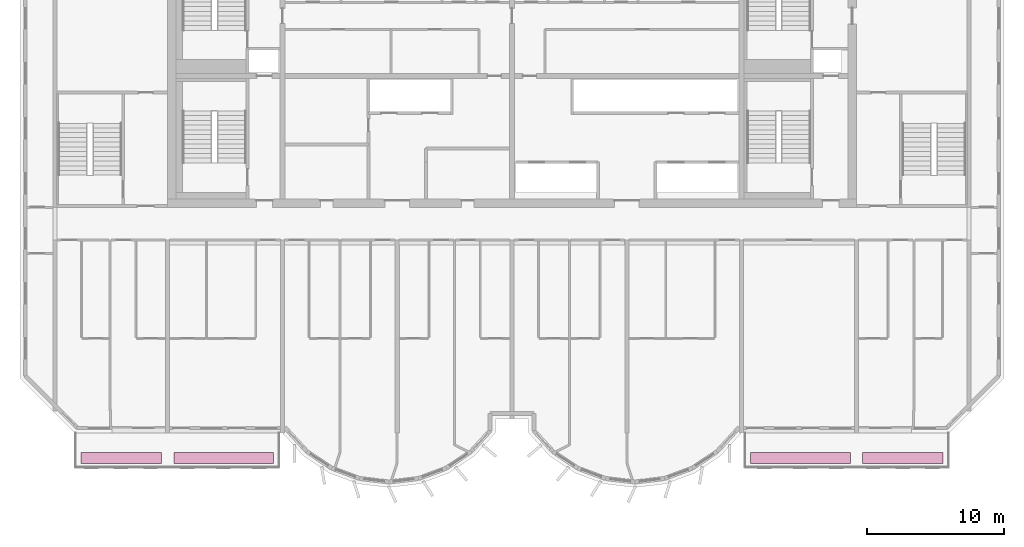
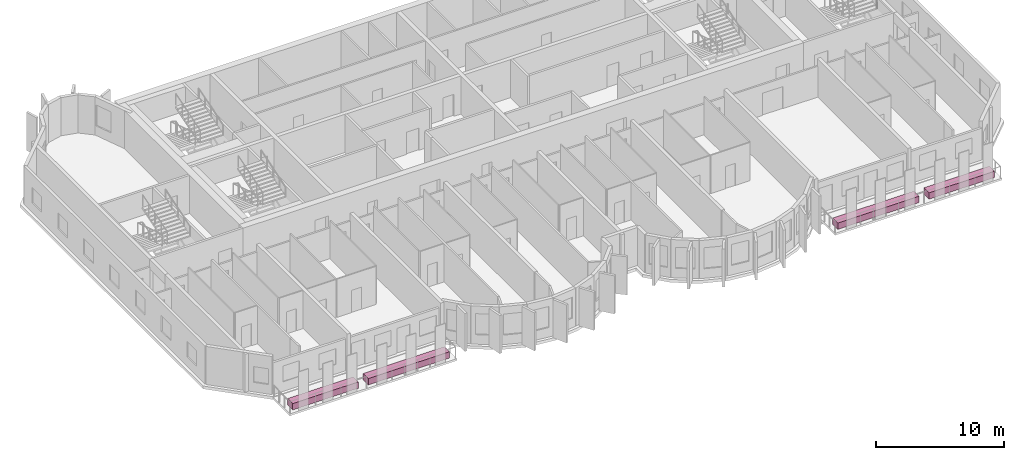
# One storey, part 11 of 11: 4 furniture elements.
"""IFC4 building model written with IfcOpenShell, lengths in metres."""

from ifc_helpers import new_model, si_unit, direction, frame, origin, origin_2d, place, context, subcontext, project, spatial, rectangle, extrude, source, transform, mapped, material, type_object, element, save


model = new_model("IFC4")

# Units and contexts
model_context = context("Model", 3, precision=1e-05, world=origin(), true_north=direction((0.0, 1.0)))
body_context = subcontext(model_context, "Body", "Model", "MODEL_VIEW")
ifc_project = project(units=[si_unit("LENGTHUNIT", "METRE"), si_unit("AREAUNIT", "SQUARE_METRE"), si_unit("VOLUMEUNIT", "CUBIC_METRE"), si_unit("PLANEANGLEUNIT", "RADIAN"), si_unit("MASSUNIT", "GRAM", prefix="KILO")], contexts=[model_context])

# Site, building, storey
site_placement = place(None, origin())
site = spatial("IfcSite", under=ifc_project, at=site_placement, CompositionType="ELEMENT")
building_placement = place(site_placement, origin())
building = spatial("IfcBuilding", under=site, at=building_placement, Name="Vanashikhar Sky Hotel", CompositionType="ELEMENT")
storey_placement = place(building_placement, frame((0.0, 0.0, 229.60009765625)))
storey = spatial("IfcBuildingStorey", under=building, at=storey_placement, Name="L55", CompositionType="ELEMENT", Elevation=229.60009765625)

# Furniture
ifc_material = material(Name="Planting soil and shrubs")
furniture_type = type_object("IfcFurnitureType", Name="Planter trough", AssemblyPlace="NOTDEFINED", PredefinedType="USERDEFINED", material=ifc_material)
shared_shape_1 = source(origin(), body_context, "Body", "SweptSolid", [
    extrude(rectangle(XDim=7.300048828125, YDim=0.800048828125, at=origin_2d()), origin(), (0.0, 0.0, 1.0), 0.60009765625),
])
for number, where, z_axis, x_axis, name in (
    (1, (29.300048828125, 3.64990234375, -0.050048828125), (0.0, 0.0, 1.0), (1.0, 0.0, 0.0), "PLANTER with climbers"),
    (2, (71.5, 3.64990234375, -0.050048828125), (0.0, 0.0, 1.0), (1.0, 0.0, 0.0), "PLANTER with climbers"),
):
    element("IfcFurniture", number, at=place(storey_placement, frame(where, z_axis=z_axis, x_axis=x_axis)), inside=storey, type_object=furniture_type, Name=name, ObjectType="PLANTER", PredefinedType="USERDEFINED", context=body_context, shape_type="MappedRepresentation", body=[
        mapped(shared_shape_1, transform((0.0, 0.0, 0.0), scale=1.0)),
    ])
shared_shape_2 = source(origin(), body_context, "Body", "SweptSolid", [
    extrude(rectangle(XDim=5.89990234375, YDim=0.800048828125, at=origin_2d()), origin(), (0.0, 0.0, 1.0), 0.60009765625),
])
for number, where, z_axis, x_axis, name in (
    (3, (21.800048828125, 3.64990234375, -0.050048828125), (0.0, 0.0, 1.0), (1.0, 0.0, 0.0), "PLANTER with climbers"),
    (4, (79.0, 3.64990234375, -0.050048828125), (0.0, 0.0, 1.0), (1.0, 0.0, 0.0), "PLANTER with climbers"),
):
    element("IfcFurniture", number, at=place(storey_placement, frame(where, z_axis=z_axis, x_axis=x_axis)), inside=storey, type_object=furniture_type, Name=name, ObjectType="PLANTER", PredefinedType="USERDEFINED", context=body_context, shape_type="MappedRepresentation", body=[
        mapped(shared_shape_2, transform((0.0, 0.0, 0.0), scale=1.0)),
    ])

save(model, "model.ifc")
